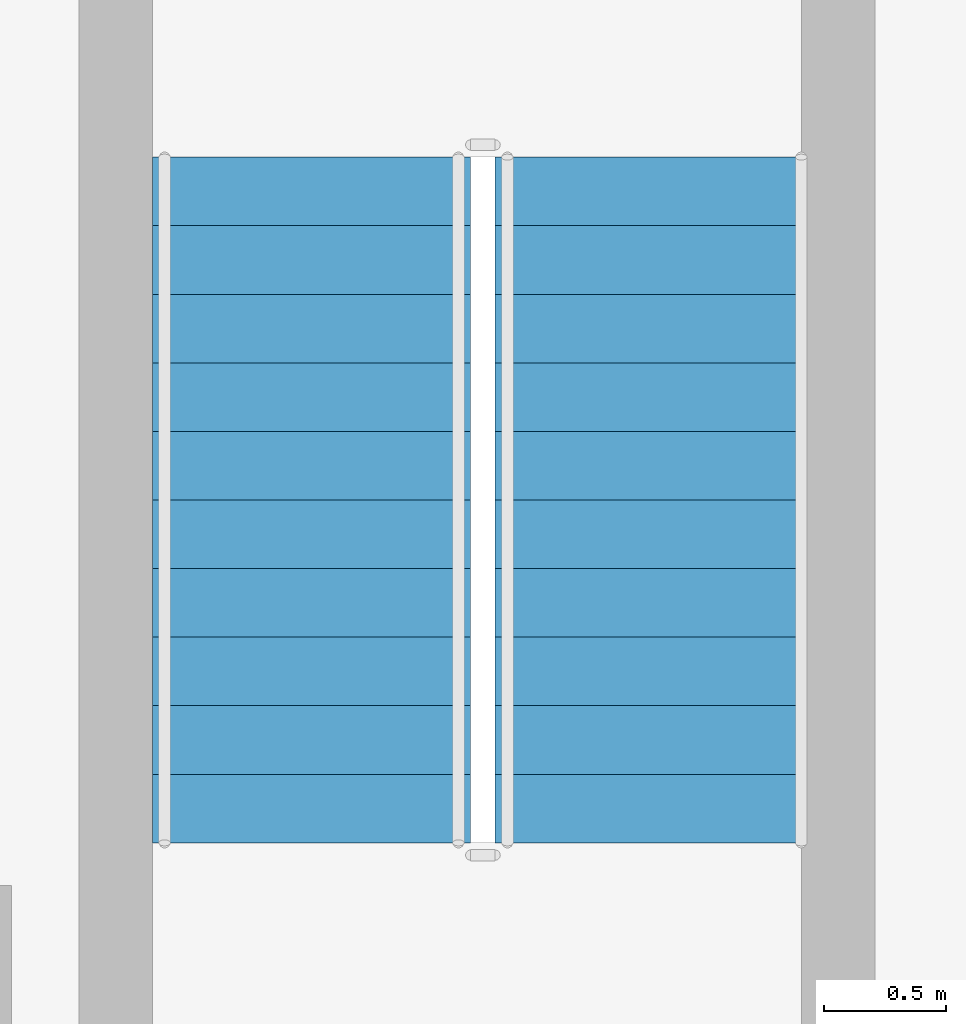
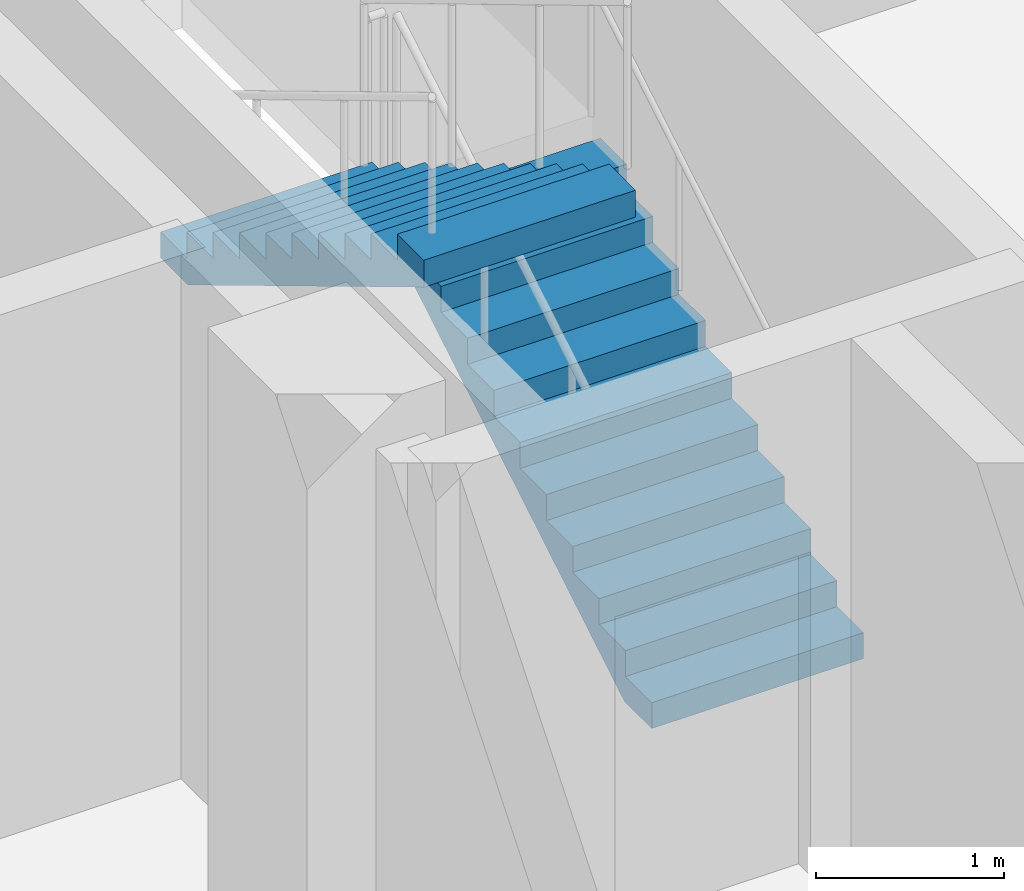
# One storey, part 14 of 21: 2 stair flights, 1 element without a shape of its own.
"""IFC4 building model written with IfcOpenShell, lengths in metres."""

from ifc_helpers import new_model, si_unit, direction, frame, origin, place, context, subcontext, project, spatial, triangles, source, transform, mapped, material, type_object, element, aggregate, save


model = new_model("IFC4")

# Units and contexts
model_context = context("Model", 3, precision=1e-05, world=origin(), true_north=direction((0.0, 1.0)))
body_context = subcontext(model_context, "Body", "Model", "MODEL_VIEW")
ifc_project = project(units=[si_unit("LENGTHUNIT", "METRE"), si_unit("AREAUNIT", "SQUARE_METRE"), si_unit("VOLUMEUNIT", "CUBIC_METRE"), si_unit("PLANEANGLEUNIT", "RADIAN"), si_unit("MASSUNIT", "GRAM", prefix="KILO")], contexts=[model_context])

# Site, building, storey
site_placement = place(None, origin())
site = spatial("IfcSite", under=ifc_project, at=site_placement, CompositionType="ELEMENT")
building_placement = place(site_placement, origin())
building = spatial("IfcBuilding", under=site, at=building_placement, Name="Ogive Portal Towers", CompositionType="ELEMENT")
storey_placement = place(building_placement, frame((0.0, 0.0, 109.300048828125)))
storey = spatial("IfcBuildingStorey", under=building, at=storey_placement, Name="L26", CompositionType="ELEMENT", Elevation=109.300048828125)

# Stair, stair flights
ifc_material = material(Name="Concrete C40/50", Category="concrete")
stair_type = type_object("IfcStairType", Name="INT-STAIR", PredefinedType="HALF_TURN_STAIR", material=ifc_material)
stair_placement = place(storey_placement, origin())
stair = element("IfcStair", 1, at=stair_placement, inside=storey, type_object=stair_type, Name="L26 Exit Stair ST-A3", PredefinedType="HALF_TURN_STAIR")
stair_flight_type = type_object("IfcStairFlightType", Name="INT-FLIGHT", PredefinedType="STRAIGHT", material=ifc_material)
shared_shape = source(origin(), body_context, "Body", "Tessellation", [
    triangles([(0.0, -0.650146484375, 0.0), (0.0, -0.376220703125, 0.0), (0.0, -0.192626953125, 0.0), (0.0, -0.081298828125, 0.0), (0.0, -0.024169921875, 0.0), (0.0, -0.003173828125, 0.0), (0.0, 0.0, 0.0), (0.0, 0.0029296875, 0.0), (0.0, 0.02392578125, 0.0), (0.0, 0.0810546875, 0.0), (0.0, 0.1923828125, 0.0), (0.0, 0.3759765625, 0.0), (0.0, 0.64990234375, 0.0), (0.0, -0.650146484375, 0.168212890625), (0.0, -0.376220703125, 0.168212890625), (0.0, -0.192626953125, 0.168212890625), (0.0, -0.081298828125, 0.168212890625), (0.0, -0.024169921875, 0.168212890625), (0.0, -0.003173828125, 0.168212890625), (0.0, 0.0, 0.168212890625), (0.0, 0.0029296875, 0.168212890625), (0.0, 0.02392578125, 0.168212890625), (0.0, 0.0810546875, 0.168212890625), (0.0, 0.1923828125, 0.168212890625), (0.0, 0.3759765625, 0.168212890625), (0.0, 0.64990234375, 0.168212890625), (0.280029296875, -0.650146484375, 0.168212890625), (0.280029296875, -0.376220703125, 0.168212890625), (0.280029296875, -0.192626953125, 0.168212890625), (0.280029296875, -0.081298828125, 0.168212890625), (0.280029296875, -0.024169921875, 0.168212890625), (0.280029296875, -0.003173828125, 0.168212890625), (0.280029296875, 0.0, 0.168212890625), (0.280029296875, 0.0029296875, 0.168212890625), (0.280029296875, 0.02392578125, 0.168212890625), (0.280029296875, 0.0810546875, 0.168212890625), (0.280029296875, 0.1923828125, 0.168212890625), (0.280029296875, 0.3759765625, 0.168212890625), (0.280029296875, 0.64990234375, 0.168212890625), (0.280029296875, -0.650146484375, 0.33642578125), (0.280029296875, -0.376220703125, 0.33642578125), (0.280029296875, -0.192626953125, 0.33642578125), (0.280029296875, -0.081298828125, 0.33642578125), (0.280029296875, -0.024169921875, 0.33642578125), (0.280029296875, -0.003173828125, 0.33642578125), (0.280029296875, 0.0, 0.33642578125), (0.280029296875, 0.0029296875, 0.33642578125), (0.280029296875, 0.02392578125, 0.33642578125), (0.280029296875, 0.0810546875, 0.33642578125), (0.280029296875, 0.1923828125, 0.33642578125), (0.280029296875, 0.3759765625, 0.33642578125), (0.280029296875, 0.64990234375, 0.33642578125), (0.56005859375, -0.650146484375, 0.33642578125), (0.56005859375, -0.376220703125, 0.33642578125), (0.56005859375, -0.192626953125, 0.33642578125), (0.56005859375, -0.081298828125, 0.33642578125), (0.56005859375, -0.024169921875, 0.33642578125), (0.56005859375, -0.003173828125, 0.33642578125), (0.56005859375, 0.0, 0.33642578125), (0.56005859375, 0.0029296875, 0.33642578125), (0.56005859375, 0.02392578125, 0.33642578125), (0.56005859375, 0.0810546875, 0.33642578125), (0.56005859375, 0.1923828125, 0.33642578125), (0.56005859375, 0.3759765625, 0.33642578125), (0.56005859375, 0.64990234375, 0.33642578125), (0.56005859375, -0.650146484375, 0.504638671875), (0.56005859375, -0.376220703125, 0.504638671875), (0.56005859375, -0.192626953125, 0.504638671875), (0.56005859375, -0.081298828125, 0.504638671875), (0.56005859375, -0.024169921875, 0.504638671875), (0.56005859375, -0.003173828125, 0.504638671875), (0.56005859375, 0.0, 0.504638671875), (0.56005859375, 0.0029296875, 0.504638671875), (0.56005859375, 0.02392578125, 0.504638671875), (0.56005859375, 0.0810546875, 0.504638671875), (0.56005859375, 0.1923828125, 0.504638671875), (0.56005859375, 0.3759765625, 0.504638671875), (0.56005859375, 0.64990234375, 0.504638671875), (0.840087890625, -0.650146484375, 0.504638671875), (0.840087890625, -0.376220703125, 0.504638671875), (0.840087890625, -0.192626953125, 0.504638671875), (0.840087890625, -0.081298828125, 0.504638671875), (0.840087890625, -0.024169921875, 0.504638671875), (0.840087890625, -0.003173828125, 0.504638671875), (0.840087890625, 0.0, 0.504638671875), (0.840087890625, 0.0029296875, 0.504638671875), (0.840087890625, 0.02392578125, 0.504638671875), (0.840087890625, 0.0810546875, 0.504638671875), (0.840087890625, 0.1923828125, 0.504638671875), (0.840087890625, 0.3759765625, 0.504638671875), (0.840087890625, 0.64990234375, 0.504638671875), (0.840087890625, -0.650146484375, 0.672607421875), (0.840087890625, -0.376220703125, 0.672607421875), (0.840087890625, -0.192626953125, 0.672607421875), (0.840087890625, -0.081298828125, 0.672607421875), (0.840087890625, -0.024169921875, 0.672607421875), (0.840087890625, -0.003173828125, 0.672607421875), (0.840087890625, 0.0, 0.672607421875), (0.840087890625, 0.0029296875, 0.672607421875), (0.840087890625, 0.02392578125, 0.672607421875), (0.840087890625, 0.0810546875, 0.672607421875), (0.840087890625, 0.1923828125, 0.672607421875), (0.840087890625, 0.3759765625, 0.672607421875), (0.840087890625, 0.64990234375, 0.672607421875), (1.1201171875, -0.650146484375, 0.672607421875), (1.1201171875, -0.376220703125, 0.672607421875), (1.1201171875, -0.192626953125, 0.672607421875), (1.1201171875, -0.081298828125, 0.672607421875), (1.1201171875, -0.024169921875, 0.672607421875), (1.1201171875, -0.003173828125, 0.672607421875), (1.1201171875, 0.0, 0.672607421875), (1.1201171875, 0.0029296875, 0.672607421875), (1.1201171875, 0.02392578125, 0.672607421875), (1.1201171875, 0.0810546875, 0.672607421875), (1.1201171875, 0.1923828125, 0.672607421875), (1.1201171875, 0.3759765625, 0.672607421875), (1.1201171875, 0.64990234375, 0.672607421875), (1.1201171875, -0.650146484375, 0.8408203125), (1.1201171875, -0.376220703125, 0.8408203125), (1.1201171875, -0.192626953125, 0.8408203125), (1.1201171875, -0.081298828125, 0.8408203125), (1.1201171875, -0.024169921875, 0.8408203125), (1.1201171875, -0.003173828125, 0.8408203125), (1.1201171875, 0.0, 0.8408203125), (1.1201171875, 0.0029296875, 0.8408203125), (1.1201171875, 0.02392578125, 0.8408203125), (1.1201171875, 0.0810546875, 0.8408203125), (1.1201171875, 0.1923828125, 0.8408203125), (1.1201171875, 0.3759765625, 0.8408203125), (1.1201171875, 0.64990234375, 0.8408203125), (1.39990234375, -0.650146484375, 0.8408203125), (1.39990234375, -0.376220703125, 0.8408203125), (1.39990234375, -0.192626953125, 0.8408203125), (1.39990234375, -0.081298828125, 0.8408203125), (1.39990234375, -0.024169921875, 0.8408203125), (1.39990234375, -0.003173828125, 0.8408203125), (1.39990234375, 0.0, 0.8408203125), (1.39990234375, 0.0029296875, 0.8408203125), (1.39990234375, 0.02392578125, 0.8408203125), (1.39990234375, 0.0810546875, 0.8408203125), (1.39990234375, 0.1923828125, 0.8408203125), (1.39990234375, 0.3759765625, 0.8408203125), (1.39990234375, 0.64990234375, 0.8408203125), (1.39990234375, -0.650146484375, 1.009033203125), (1.39990234375, -0.376220703125, 1.009033203125), (1.39990234375, -0.192626953125, 1.009033203125), (1.39990234375, -0.081298828125, 1.009033203125), (1.39990234375, -0.024169921875, 1.009033203125), (1.39990234375, -0.003173828125, 1.009033203125), (1.39990234375, 0.0, 1.009033203125), (1.39990234375, 0.0029296875, 1.009033203125), (1.39990234375, 0.02392578125, 1.009033203125), (1.39990234375, 0.0810546875, 1.009033203125), (1.39990234375, 0.1923828125, 1.009033203125), (1.39990234375, 0.3759765625, 1.009033203125), (1.39990234375, 0.64990234375, 1.009033203125), (1.679931640625, -0.650146484375, 1.009033203125), (1.679931640625, -0.376220703125, 1.009033203125), (1.679931640625, -0.192626953125, 1.009033203125), (1.679931640625, -0.081298828125, 1.009033203125), (1.679931640625, -0.024169921875, 1.009033203125), (1.679931640625, -0.003173828125, 1.009033203125), (1.679931640625, 0.0, 1.009033203125), (1.679931640625, 0.0029296875, 1.009033203125), (1.679931640625, 0.02392578125, 1.009033203125), (1.679931640625, 0.0810546875, 1.009033203125), (1.679931640625, 0.1923828125, 1.009033203125), (1.679931640625, 0.3759765625, 1.009033203125), (1.679931640625, 0.64990234375, 1.009033203125), (1.679931640625, -0.650146484375, 1.17724609375), (1.679931640625, -0.376220703125, 1.17724609375), (1.679931640625, -0.192626953125, 1.17724609375), (1.679931640625, -0.081298828125, 1.17724609375), (1.679931640625, -0.024169921875, 1.17724609375), (1.679931640625, -0.003173828125, 1.17724609375), (1.679931640625, 0.0, 1.17724609375), (1.679931640625, 0.0029296875, 1.17724609375), (1.679931640625, 0.02392578125, 1.17724609375), (1.679931640625, 0.0810546875, 1.17724609375), (1.679931640625, 0.1923828125, 1.17724609375), (1.679931640625, 0.3759765625, 1.17724609375), (1.679931640625, 0.64990234375, 1.17724609375), (1.9599609375, -0.650146484375, 1.17724609375), (1.9599609375, -0.376220703125, 1.17724609375), (1.9599609375, -0.192626953125, 1.17724609375), (1.9599609375, -0.081298828125, 1.17724609375), (1.9599609375, -0.024169921875, 1.17724609375), (1.9599609375, -0.003173828125, 1.17724609375), (1.9599609375, 0.0, 1.17724609375), (1.9599609375, 0.0029296875, 1.17724609375), (1.9599609375, 0.02392578125, 1.17724609375), (1.9599609375, 0.0810546875, 1.17724609375), (1.9599609375, 0.1923828125, 1.17724609375), (1.9599609375, 0.3759765625, 1.17724609375), (1.9599609375, 0.64990234375, 1.17724609375), (1.9599609375, -0.650146484375, 1.345458984375), (1.9599609375, -0.376220703125, 1.345458984375), (1.9599609375, -0.192626953125, 1.345458984375), (1.9599609375, -0.081298828125, 1.345458984375), (1.9599609375, -0.024169921875, 1.345458984375), (1.9599609375, -0.003173828125, 1.345458984375), (1.9599609375, 0.0, 1.345458984375), (1.9599609375, 0.0029296875, 1.345458984375), (1.9599609375, 0.02392578125, 1.345458984375), (1.9599609375, 0.0810546875, 1.345458984375), (1.9599609375, 0.1923828125, 1.345458984375), (1.9599609375, 0.3759765625, 1.345458984375), (1.9599609375, 0.64990234375, 1.345458984375), (2.239990234375, -0.650146484375, 1.345458984375), (2.239990234375, -0.376220703125, 1.345458984375), (2.239990234375, -0.192626953125, 1.345458984375), (2.239990234375, -0.081298828125, 1.345458984375), (2.239990234375, -0.024169921875, 1.345458984375), (2.239990234375, -0.003173828125, 1.345458984375), (2.239990234375, 0.0, 1.345458984375), (2.239990234375, 0.0029296875, 1.345458984375), (2.239990234375, 0.02392578125, 1.345458984375), (2.239990234375, 0.0810546875, 1.345458984375), (2.239990234375, 0.1923828125, 1.345458984375), (2.239990234375, 0.3759765625, 1.345458984375), (2.239990234375, 0.64990234375, 1.345458984375), (2.239990234375, -0.650146484375, 1.513671875), (2.239990234375, -0.376220703125, 1.513671875), (2.239990234375, -0.192626953125, 1.513671875), (2.239990234375, -0.081298828125, 1.513671875), (2.239990234375, -0.024169921875, 1.513671875), (2.239990234375, -0.003173828125, 1.513671875), (2.239990234375, 0.0, 1.513671875), (2.239990234375, 0.0029296875, 1.513671875), (2.239990234375, 0.02392578125, 1.513671875), (2.239990234375, 0.0810546875, 1.513671875), (2.239990234375, 0.1923828125, 1.513671875), (2.239990234375, 0.3759765625, 1.513671875), (2.239990234375, 0.64990234375, 1.513671875), (2.52001953125, -0.650146484375, 1.513671875), (2.52001953125, -0.376220703125, 1.513671875), (2.52001953125, -0.192626953125, 1.513671875), (2.52001953125, -0.081298828125, 1.513671875), (2.52001953125, -0.024169921875, 1.513671875), (2.52001953125, -0.003173828125, 1.513671875), (2.52001953125, 0.0, 1.513671875), (2.52001953125, 0.0029296875, 1.513671875), (2.52001953125, 0.02392578125, 1.513671875), (2.52001953125, 0.0810546875, 1.513671875), (2.52001953125, 0.1923828125, 1.513671875), (2.52001953125, 0.3759765625, 1.513671875), (2.52001953125, 0.64990234375, 1.513671875), (2.52001953125, -0.650146484375, 1.681884765625), (2.52001953125, -0.376220703125, 1.681884765625), (2.52001953125, -0.192626953125, 1.681884765625), (2.52001953125, -0.081298828125, 1.681884765625), (2.52001953125, -0.024169921875, 1.681884765625), (2.52001953125, -0.003173828125, 1.681884765625), (2.52001953125, 0.0, 1.681884765625), (2.52001953125, 0.0029296875, 1.681884765625), (2.52001953125, 0.02392578125, 1.681884765625), (2.52001953125, 0.0810546875, 1.681884765625), (2.52001953125, 0.1923828125, 1.681884765625), (2.52001953125, 0.3759765625, 1.681884765625), (2.52001953125, 0.64990234375, 1.681884765625), (2.800048828125, -0.650146484375, 1.681884765625), (2.800048828125, -0.376220703125, 1.681884765625), (2.800048828125, -0.192626953125, 1.681884765625), (2.800048828125, -0.081298828125, 1.681884765625), (2.800048828125, -0.024169921875, 1.681884765625), (2.800048828125, -0.003173828125, 1.681884765625), (2.800048828125, 0.0, 1.681884765625), (2.800048828125, 0.0029296875, 1.681884765625), (2.800048828125, 0.02392578125, 1.681884765625), (2.800048828125, 0.0810546875, 1.681884765625), (2.800048828125, 0.1923828125, 1.681884765625), (2.800048828125, 0.3759765625, 1.681884765625), (2.800048828125, 0.64990234375, 1.681884765625), (2.800048828125, -0.650146484375, 1.5068359375), (2.800048828125, -0.376220703125, 1.5068359375), (2.800048828125, -0.192626953125, 1.5068359375), (2.800048828125, -0.081298828125, 1.5068359375), (2.800048828125, -0.024169921875, 1.5068359375), (2.800048828125, -0.003173828125, 1.5068359375), (2.800048828125, 0.0, 1.5068359375), (2.800048828125, 0.0029296875, 1.5068359375), (2.800048828125, 0.02392578125, 1.5068359375), (2.800048828125, 0.0810546875, 1.5068359375), (2.800048828125, 0.1923828125, 1.5068359375), (2.800048828125, 0.3759765625, 1.5068359375), (2.800048828125, 0.64990234375, 1.5068359375), (0.291015625, -0.650146484375, 0.0), (0.291015625, -0.376220703125, 0.0), (0.291015625, -0.192626953125, 0.0), (0.291015625, -0.081298828125, 0.0), (0.291015625, -0.024169921875, 0.0), (0.291015625, -0.003173828125, 0.0), (0.291015625, 0.0, 0.0), (0.291015625, 0.0029296875, 0.0), (0.291015625, 0.02392578125, 0.0), (0.291015625, 0.0810546875, 0.0), (0.291015625, 0.1923828125, 0.0), (0.291015625, 0.3759765625, 0.0), (0.291015625, 0.64990234375, 0.0)], [[1, 14, 15], [1, 15, 2], [2, 15, 16], [2, 16, 3], [3, 16, 17], [3, 17, 4], [4, 17, 18], [4, 18, 5], [5, 18, 19], [5, 19, 6], [6, 19, 20], [6, 20, 7], [7, 20, 21], [7, 21, 8], [8, 21, 22], [8, 22, 9], [9, 22, 23], [9, 23, 10], [10, 23, 24], [10, 24, 11], [11, 24, 25], [11, 25, 12], [12, 25, 26], [12, 26, 13], [14, 27, 28], [14, 28, 15], [15, 28, 29], [15, 29, 16], [16, 29, 30], [16, 30, 17], [17, 30, 31], [17, 31, 18], [18, 31, 32], [18, 32, 19], [19, 32, 33], [19, 33, 20], [20, 33, 34], [20, 34, 21], [21, 34, 35], [21, 35, 22], [22, 35, 36], [22, 36, 23], [23, 36, 37], [23, 37, 24], [24, 37, 38], [24, 38, 25], [25, 38, 39], [25, 39, 26], [27, 40, 41], [27, 41, 28], [28, 41, 42], [28, 42, 29], [29, 42, 43], [29, 43, 30], [30, 43, 44], [30, 44, 31], [31, 44, 45], [31, 45, 32], [32, 45, 46], [32, 46, 33], [33, 46, 47], [33, 47, 34], [34, 47, 48], [34, 48, 35], [35, 48, 49], [35, 49, 36], [36, 49, 50], [36, 50, 37], [37, 50, 51], [37, 51, 38], [38, 51, 52], [38, 52, 39], [40, 53, 54], [40, 54, 41], [41, 54, 55], [41, 55, 42], [42, 55, 56], [42, 56, 43], [43, 56, 57], [43, 57, 44], [44, 57, 58], [44, 58, 45], [45, 58, 59], [45, 59, 46], [46, 59, 60], [46, 60, 47], [47, 60, 61], [47, 61, 48], [48, 61, 62], [48, 62, 49], [49, 62, 63], [49, 63, 50], [50, 63, 64], [50, 64, 51], [51, 64, 65], [51, 65, 52], [53, 66, 67], [53, 67, 54], [54, 67, 68], [54, 68, 55], [55, 68, 69], [55, 69, 56], [56, 69, 70], [56, 70, 57], [57, 70, 71], [57, 71, 58], [58, 71, 72], [58, 72, 59], [59, 72, 73], [59, 73, 60], [60, 73, 74], [60, 74, 61], [61, 74, 75], [61, 75, 62], [62, 75, 76], [62, 76, 63], [63, 76, 77], [63, 77, 64], [64, 77, 78], [64, 78, 65], [66, 79, 80], [66, 80, 67], [67, 80, 81], [67, 81, 68], [68, 81, 82], [68, 82, 69], [69, 82, 83], [69, 83, 70], [70, 83, 84], [70, 84, 71], [71, 84, 85], [71, 85, 72], [72, 85, 86], [72, 86, 73], [73, 86, 87], [73, 87, 74], [74, 87, 88], [74, 88, 75], [75, 88, 89], [75, 89, 76], [76, 89, 90], [76, 90, 77], [77, 90, 91], [77, 91, 78], [79, 92, 93], [79, 93, 80], [80, 93, 94], [80, 94, 81], [81, 94, 95], [81, 95, 82], [82, 95, 96], [82, 96, 83], [83, 96, 97], [83, 97, 84], [84, 97, 98], [84, 98, 85], [85, 98, 99], [85, 99, 86], [86, 99, 100], [86, 100, 87], [87, 100, 101], [87, 101, 88], [88, 101, 102], [88, 102, 89], [89, 102, 103], [89, 103, 90], [90, 103, 104], [90, 104, 91], [92, 105, 106], [92, 106, 93], [93, 106, 107], [93, 107, 94], [94, 107, 108], [94, 108, 95], [95, 108, 109], [95, 109, 96], [96, 109, 110], [96, 110, 97], [97, 110, 111], [97, 111, 98], [98, 111, 112], [98, 112, 99], [99, 112, 113], [99, 113, 100], [100, 113, 114], [100, 114, 101], [101, 114, 115], [101, 115, 102], [102, 115, 116], [102, 116, 103], [103, 116, 117], [103, 117, 104], [105, 118, 119], [105, 119, 106], [106, 119, 120], [106, 120, 107], [107, 120, 121], [107, 121, 108], [108, 121, 122], [108, 122, 109], [109, 122, 123], [109, 123, 110], [110, 123, 124], [110, 124, 111], [111, 124, 125], [111, 125, 112], [112, 125, 126], [112, 126, 113], [113, 126, 127], [113, 127, 114], [114, 127, 128], [114, 128, 115], [115, 128, 129], [115, 129, 116], [116, 129, 130], [116, 130, 117], [118, 131, 132], [118, 132, 119], [119, 132, 133], [119, 133, 120], [120, 133, 134], [120, 134, 121], [121, 134, 135], [121, 135, 122], [122, 135, 136], [122, 136, 123], [123, 136, 137], [123, 137, 124], [124, 137, 138], [124, 138, 125], [125, 138, 139], [125, 139, 126], [126, 139, 140], [126, 140, 127], [127, 140, 141], [127, 141, 128], [128, 141, 142], [128, 142, 129], [129, 142, 143], [129, 143, 130], [131, 144, 145], [131, 145, 132], [132, 145, 146], [132, 146, 133], [133, 146, 147], [133, 147, 134], [134, 147, 148], [134, 148, 135], [135, 148, 149], [135, 149, 136], [136, 149, 150], [136, 150, 137], [137, 150, 151], [137, 151, 138], [138, 151, 152], [138, 152, 139], [139, 152, 153], [139, 153, 140], [140, 153, 154], [140, 154, 141], [141, 154, 155], [141, 155, 142], [142, 155, 156], [142, 156, 143], [144, 157, 158], [144, 158, 145], [145, 158, 159], [145, 159, 146], [146, 159, 160], [146, 160, 147], [147, 160, 161], [147, 161, 148], [148, 161, 162], [148, 162, 149], [149, 162, 163], [149, 163, 150], [150, 163, 164], [150, 164, 151], [151, 164, 165], [151, 165, 152], [152, 165, 166], [152, 166, 153], [153, 166, 167], [153, 167, 154], [154, 167, 168], [154, 168, 155], [155, 168, 169], [155, 169, 156], [157, 170, 171], [157, 171, 158], [158, 171, 172], [158, 172, 159], [159, 172, 173], [159, 173, 160], [160, 173, 174], [160, 174, 161], [161, 174, 175], [161, 175, 162], [162, 175, 176], [162, 176, 163], [163, 176, 177], [163, 177, 164], [164, 177, 178], [164, 178, 165], [165, 178, 179], [165, 179, 166], [166, 179, 180], [166, 180, 167], [167, 180, 181], [167, 181, 168], [168, 181, 182], [168, 182, 169], [170, 183, 184], [170, 184, 171], [171, 184, 185], [171, 185, 172], [172, 185, 186], [172, 186, 173], [173, 186, 187], [173, 187, 174], [174, 187, 188], [174, 188, 175], [175, 188, 189], [175, 189, 176], [176, 189, 190], [176, 190, 177], [177, 190, 191], [177, 191, 178], [178, 191, 192], [178, 192, 179], [179, 192, 193], [179, 193, 180], [180, 193, 194], [180, 194, 181], [181, 194, 195], [181, 195, 182], [183, 196, 197], [183, 197, 184], [184, 197, 198], [184, 198, 185], [185, 198, 199], [185, 199, 186], [186, 199, 200], [186, 200, 187], [187, 200, 201], [187, 201, 188], [188, 201, 202], [188, 202, 189], [189, 202, 203], [189, 203, 190], [190, 203, 204], [190, 204, 191], [191, 204, 205], [191, 205, 192], [192, 205, 206], [192, 206, 193], [193, 206, 207], [193, 207, 194], [194, 207, 208], [194, 208, 195], [196, 209, 210], [196, 210, 197], [197, 210, 211], [197, 211, 198], [198, 211, 212], [198, 212, 199], [199, 212, 213], [199, 213, 200], [200, 213, 214], [200, 214, 201], [201, 214, 215], [201, 215, 202], [202, 215, 216], [202, 216, 203], [203, 216, 217], [203, 217, 204], [204, 217, 218], [204, 218, 205], [205, 218, 219], [205, 219, 206], [206, 219, 220], [206, 220, 207], [207, 220, 221], [207, 221, 208], [209, 222, 223], [209, 223, 210], [210, 223, 224], [210, 224, 211], [211, 224, 225], [211, 225, 212], [212, 225, 226], [212, 226, 213], [213, 226, 227], [213, 227, 214], [214, 227, 228], [214, 228, 215], [215, 228, 229], [215, 229, 216], [216, 229, 230], [216, 230, 217], [217, 230, 231], [217, 231, 218], [218, 231, 232], [218, 232, 219], [219, 232, 233], [219, 233, 220], [220, 233, 234], [220, 234, 221], [222, 235, 236], [222, 236, 223], [223, 236, 237], [223, 237, 224], [224, 237, 238], [224, 238, 225], [225, 238, 239], [225, 239, 226], [226, 239, 240], [226, 240, 227], [227, 240, 241], [227, 241, 228], [228, 241, 242], [228, 242, 229], [229, 242, 243], [229, 243, 230], [230, 243, 244], [230, 244, 231], [231, 244, 245], [231, 245, 232], [232, 245, 246], [232, 246, 233], [233, 246, 247], [233, 247, 234], [235, 248, 249], [235, 249, 236], [236, 249, 250], [236, 250, 237], [237, 250, 251], [237, 251, 238], [238, 251, 252], [238, 252, 239], [239, 252, 253], [239, 253, 240], [240, 253, 254], [240, 254, 241], [241, 254, 255], [241, 255, 242], [242, 255, 256], [242, 256, 243], [243, 256, 257], [243, 257, 244], [244, 257, 258], [244, 258, 245], [245, 258, 259], [245, 259, 246], [246, 259, 260], [246, 260, 247], [248, 261, 262], [248, 262, 249], [249, 262, 263], [249, 263, 250], [250, 263, 264], [250, 264, 251], [251, 264, 265], [251, 265, 252], [252, 265, 266], [252, 266, 253], [253, 266, 267], [253, 267, 254], [254, 267, 268], [254, 268, 255], [255, 268, 269], [255, 269, 256], [256, 269, 270], [256, 270, 257], [257, 270, 271], [257, 271, 258], [258, 271, 272], [258, 272, 259], [259, 272, 273], [259, 273, 260], [261, 274, 275], [261, 275, 262], [262, 275, 276], [262, 276, 263], [263, 276, 277], [263, 277, 264], [264, 277, 278], [264, 278, 265], [265, 278, 279], [265, 279, 266], [266, 279, 280], [266, 280, 267], [267, 280, 281], [267, 281, 268], [268, 281, 282], [268, 282, 269], [269, 282, 283], [269, 283, 270], [270, 283, 284], [270, 284, 271], [271, 284, 285], [271, 285, 272], [272, 285, 286], [272, 286, 273], [274, 287, 288], [274, 288, 275], [275, 288, 289], [275, 289, 276], [276, 289, 290], [276, 290, 277], [277, 290, 291], [277, 291, 278], [278, 291, 292], [278, 292, 279], [279, 292, 293], [279, 293, 280], [280, 293, 294], [280, 294, 281], [281, 294, 295], [281, 295, 282], [282, 295, 296], [282, 296, 283], [283, 296, 297], [283, 297, 284], [284, 297, 298], [284, 298, 285], [285, 298, 299], [285, 299, 286], [287, 1, 2], [287, 2, 288], [288, 2, 3], [288, 3, 289], [289, 3, 4], [289, 4, 290], [290, 4, 5], [290, 5, 291], [291, 5, 6], [291, 6, 292], [292, 6, 7], [292, 7, 293], [293, 7, 8], [293, 8, 294], [294, 8, 9], [294, 9, 295], [295, 9, 10], [295, 10, 296], [296, 10, 11], [296, 11, 297], [297, 11, 12], [297, 12, 298], [298, 12, 13], [298, 13, 299], [1, 287, 274], [13, 286, 299], [274, 261, 248], [286, 260, 273], [274, 248, 235], [286, 247, 260], [274, 235, 222], [286, 234, 247], [274, 222, 209], [286, 221, 234], [209, 196, 183], [221, 195, 208], [274, 209, 183], [286, 195, 221], [183, 170, 157], [195, 169, 182], [274, 183, 157], [286, 169, 195], [157, 144, 131], [169, 143, 156], [274, 157, 131], [286, 143, 169], [131, 118, 105], [143, 117, 130], [274, 131, 105], [286, 117, 143], [1, 274, 105], [13, 117, 286], [105, 92, 79], [117, 91, 104], [79, 66, 53], [91, 65, 78], [105, 79, 53], [117, 65, 91], [53, 40, 27], [65, 39, 52], [105, 53, 27], [117, 39, 65], [1, 105, 27], [13, 39, 117], [27, 14, 1], [39, 13, 26]], closed=True),
])
stair_flight_1_placement = place(storey_placement, frame((43.550048828125, 67.199951171875, 0.0), z_axis=(0.0, 0.0, 1.0), x_axis=(0.0, 1.0, 0.0)))
stair_flight_1 = element("IfcStairFlight", 2, at=stair_flight_1_placement, type_object=stair_flight_type, Name="ST-A3 flight 1", NumberOfRisers=11, NumberOfTreads=10, PredefinedType="STRAIGHT", RiserHeight=0.168181818, TreadLength=0.28, context=body_context, shape_type="MappedRepresentation", body=[
    mapped(shared_shape, transform((0.0, 0.0, 0.0), scale=1.0)),
])
stair_flight_2_placement = place(storey_placement, frame((42.14990234375, 70.0, 1.849853515625), z_axis=(0.0, 0.0, 1.0), x_axis=(0.0, -1.0, 0.0)))
stair_flight_2 = element("IfcStairFlight", 3, at=stair_flight_2_placement, type_object=stair_flight_type, Name="ST-A3 flight 2", NumberOfRisers=11, NumberOfTreads=10, PredefinedType="STRAIGHT", RiserHeight=0.168181818, TreadLength=0.28, context=body_context, shape_type="MappedRepresentation", body=[
    mapped(shared_shape, transform((0.0, 0.0, 0.0), scale=1.0)),
])
aggregate(stair, [stair_flight_1, stair_flight_2])

save(model, "model.ifc")
